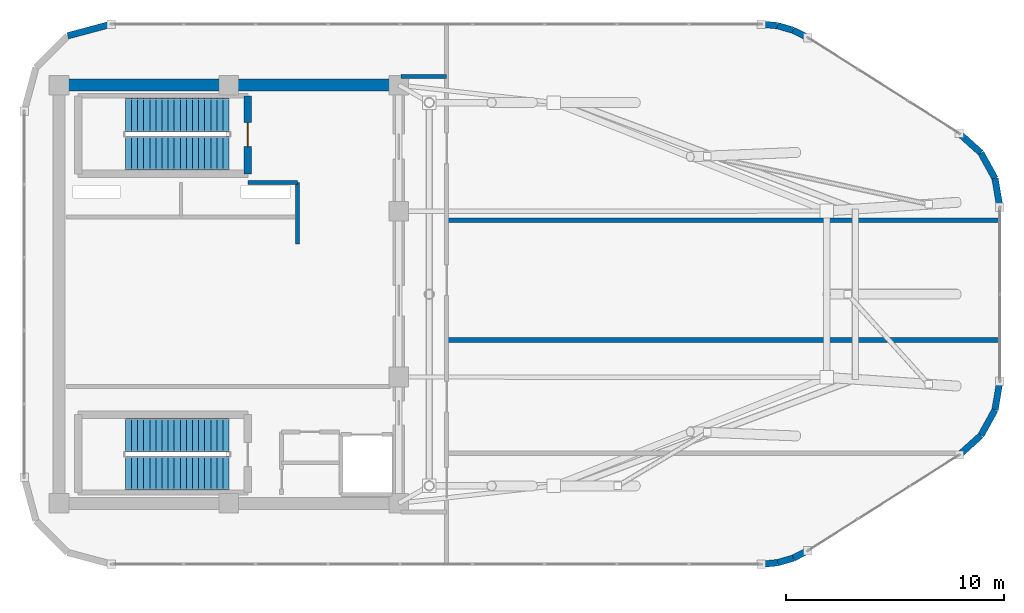
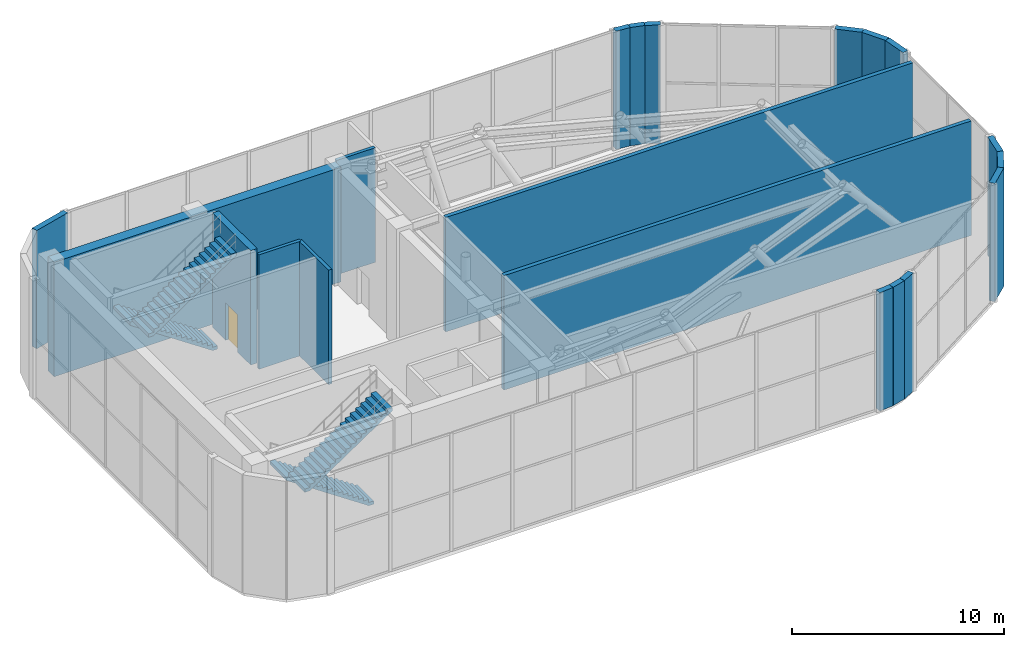
# One storey, part 23 of 24: 20 walls, 4 stair flights, 1 door, 1 opening, 2 elements without a shape of their own.
"""IFC4 building model written with IfcOpenShell, lengths in metres."""

from ifc_helpers import new_model, si_unit, direction, frame, frame_2d, origin, place, context, subcontext, project, spatial, polyline, rectangle, outline, extrude, material, layer, layer_set, type_object, element, fill, aggregate, save


model = new_model("IFC4")

# Units and contexts
model_context = context("Model", 3, precision=1e-05, world=origin(), true_north=direction((0.0, 1.0)))
body_context = subcontext(model_context, "Body", "Model", "MODEL_VIEW")
ifc_project = project(units=[si_unit("LENGTHUNIT", "METRE"), si_unit("AREAUNIT", "SQUARE_METRE"), si_unit("VOLUMEUNIT", "CUBIC_METRE"), si_unit("PLANEANGLEUNIT", "RADIAN"), si_unit("MASSUNIT", "GRAM", prefix="KILO")], contexts=[model_context])

# Site, building, storey
site_placement = place(None, origin())
site = spatial("IfcSite", under=ifc_project, at=site_placement, CompositionType="ELEMENT")
building_placement = place(site_placement, origin())
building = spatial("IfcBuilding", under=site, at=building_placement, Name="An Khanh Terracotta Commons", CompositionType="ELEMENT")
storey_placement = place(building_placement, frame((0.0, 0.0, 315.199951171875)))
storey = spatial("IfcBuildingStorey", under=building, at=storey_placement, Name="L80 Crown Cooling Plant", CompositionType="ELEMENT", Elevation=315.199951171875)

# Walls
ifc_material_1 = material(Name="Concrete C50/60", Category="concrete")
ifc_layer_1 = layer(ifc_material_1, 0.550048828125, Name="Concrete C50/60")
ifc_layer_set_1 = layer_set([ifc_layer_1], Name="Concrete C50/60")
wall_type_1 = type_object("IfcWallType", Name="WALL-CORE-550", PredefinedType="SHEAR", material=ifc_layer_set_1)
wall_1_placement = place(storey_placement, frame((21.60009765625, 33.60009765625, 0.0), z_axis=(0.0, 0.0, 1.0), x_axis=(1.0, 0.0, 0.0)))
element("IfcWall", 1, at=wall_1_placement, inside=storey, type_object=wall_type_1, Name="L80 Crown Cooling Plant Core Wall CWALL-L80 Crown Cooling Plant-N", PredefinedType="SHEAR", context=body_context, shape_type="SweptSolid", body=[
    extrude(rectangle(XDim=15.599853515625, YDim=0.550048828125, at=frame_2d((7.7998046875, 0.0))), origin(), (0.0, 0.0, 1.0), 6.580078125),
])
ifc_material_2 = material(Name="Fire-Rated Gypsum Board on Steel Stud", Category="steel")
ifc_layer_2 = layer(ifc_material_2, 0.179931640625, Name="Fire-Rated Gypsum Board on Steel Stud")
ifc_layer_set_2 = layer_set([ifc_layer_2], Name="Fire-Rated Gypsum Board on Steel Stud")
wall_type_2 = type_object("IfcWallType", Name="WALL-CORR-180", PredefinedType="PARTITIONING", material=ifc_layer_set_2)
wall_2_placement = place(storey_placement, frame((30.27001953125, 29.1201171875, 0.0), z_axis=(0.0, 0.0, 1.0), x_axis=(1.0, 0.0, 0.0)))
element("IfcWall", 2, at=wall_2_placement, inside=storey, type_object=wall_type_2, Name="L80 Crown Cooling Plant Core Wall FFLW-L80 Crown Cooling Plant-S", PredefinedType="PARTITIONING", context=body_context, shape_type="SweptSolid", body=[
    extrude(rectangle(XDim=2.280029296875, YDim=0.179931640625, at=frame_2d((1.14013671875, 0.0))), origin(), (0.0, 0.0, 1.0), 6.580078125),
])
wall_3_placement = place(storey_placement, frame((32.550048828125, 26.300048828125, 0.0), z_axis=(0.0, 0.0, 1.0), x_axis=(0.0, 1.0, 0.0)))
element("IfcWall", 3, at=wall_3_placement, inside=storey, type_object=wall_type_2, Name="L80 Crown Cooling Plant Core Wall RSRW-L80 Crown Cooling Plant-E", PredefinedType="PARTITIONING", context=body_context, shape_type="SweptSolid", body=[
    extrude(rectangle(XDim=2.820068359375, YDim=0.179931640625, at=frame_2d((1.41015625, 0.0))), origin(), (0.0, 0.0, 1.0), 6.580078125),
])
wall_4_placement = place(storey_placement, frame((37.300048828125, 34.0, 0.0), z_axis=(0.0, 0.0, 1.0), x_axis=(1.0, 0.0, 0.0)))
element("IfcWall", 4, at=wall_4_placement, inside=storey, type_object=wall_type_2, Name="L80 Crown Cooling Plant Interior Partition IW-L80 Crown Cooling Plant-E005", PredefinedType="PARTITIONING", context=body_context, shape_type="SweptSolid", body=[
    extrude(rectangle(XDim=2.099853515625, YDim=0.179931640625, at=frame_2d((1.0498046875, 0.0))), origin(), (0.0, 0.0, 1.0), 6.580078125),
])
ifc_material_3 = material(Name="Precast concrete C40/50", Category="concrete")
ifc_layer_3 = layer(ifc_material_3, 0.300048828125, Name="Precast concrete C40/50")
ifc_layer_set_3 = layer_set([ifc_layer_3], Name="Precast concrete C40/50")
wall_type_3 = type_object("IfcWallType", Name="WALL-EXT-300", PredefinedType="SOLIDWALL", material=ifc_layer_set_3)
wall_5_placement = place(storey_placement, frame((53.841064453125, 11.60009765625, 0.0), z_axis=(0.0, 0.0, 1.0), x_axis=(0.995550793805, 0.094226413252, 0.0)))
element("IfcWall", 5, at=wall_5_placement, inside=storey, type_object=wall_type_3, Name="L80 Crown Cooling Plant Crown Facet Corner Closure 5", PredefinedType="SOLIDWALL", context=body_context, shape_type="SweptSolid", body=[
    extrude(rectangle(XDim=0.75146484375, YDim=0.300048828125, at=frame_2d((0.375732421875, 0.0))), origin(), (0.0, 0.0, 1.0), 6.800048828125),
])
wall_6_placement = place(storey_placement, frame((54.589111328125, 11.6708984375, 0.0), z_axis=(0.0, 0.0, 1.0), x_axis=(0.960461324279, 0.278413441782, 0.0)))
element("IfcWall", 6, at=wall_6_placement, inside=storey, type_object=wall_type_3, Name="L80 Crown Cooling Plant Crown Facet Corner Closure 6", PredefinedType="SOLIDWALL", context=body_context, shape_type="SweptSolid", body=[
    extrude(rectangle(XDim=0.750732421875, YDim=0.300048828125, at=frame_2d((0.37548828125, 0.0))), origin(), (0.0, 0.0, 1.0), 6.800048828125),
])
wall_7_placement = place(storey_placement, frame((55.31005859375, 11.8798828125, 0.0), z_axis=(0.0, 0.0, 1.0), x_axis=(0.891680894713, 0.452664535836, 0.0)))
element("IfcWall", 7, at=wall_7_placement, inside=storey, type_object=wall_type_3, Name="L80 Crown Cooling Plant Crown Facet Corner Closure 7", PredefinedType="SOLIDWALL", context=body_context, shape_type="SweptSolid", body=[
    extrude(rectangle(XDim=0.751220703125, YDim=0.300048828125, at=frame_2d((0.37548828125, 0.0))), origin(), (0.0, 0.0, 1.0), 6.800048828125),
])
wall_8_placement = place(storey_placement, frame((62.93896484375, 16.6220703125, 0.0), z_axis=(0.0, 0.0, 1.0), x_axis=(0.743594084191, 0.668631316913, 0.0)))
element("IfcWall", 8, at=wall_8_placement, inside=storey, type_object=wall_type_3, Name="L80 Crown Cooling Plant Crown Facet Corner Closure 9", PredefinedType="SOLIDWALL", context=body_context, shape_type="SweptSolid", body=[
    extrude(rectangle(XDim=1.335205078125, YDim=0.300048828125, at=frame_2d((0.66748046875, 0.0))), origin(), (0.0, 0.0, 1.0), 6.800048828125),
])
wall_9_placement = place(storey_placement, frame((63.931884765625, 17.514892578125, 0.0), z_axis=(0.0, 0.0, 1.0), x_axis=(0.482739188221, 0.875764166974, 0.0)))
element("IfcWall", 9, at=wall_9_placement, inside=storey, type_object=wall_type_3, Name="L80 Crown Cooling Plant Crown Facet Corner Closure 10", PredefinedType="SOLIDWALL", context=body_context, shape_type="SweptSolid", body=[
    extrude(rectangle(XDim=1.336181640625, YDim=0.300048828125, at=frame_2d((0.66796875, 0.0))), origin(), (0.0, 0.0, 1.0), 6.800048828125),
])
for number, where, z_axis, x_axis, name in (
    (10, (64.576904296875, 18.68505859375, 0.0), (0.0, 0.0, 1.0), (0.166945721408, 0.985966087705, 0.0), "L80 Crown Cooling Plant Crown Facet Corner Closure 11"),
    (11, (64.800048828125, 27.9970703125, 0.0), (0.0, 0.0, 1.0), (-0.166945721408, 0.985966087705, 0.0), "L80 Crown Cooling Plant Crown Facet Corner Closure 13"),
):
    element("IfcWall", number, at=place(storey_placement, frame(where, z_axis=z_axis, x_axis=x_axis)), inside=storey, type_object=wall_type_3, Name=name, PredefinedType="SOLIDWALL", context=body_context, shape_type="SweptSolid", body=[
        extrude(rectangle(XDim=1.336669921875, YDim=0.300048828125, at=frame_2d((0.66845703125, 0.0))), origin(), (0.0, 0.0, 1.0), 6.800048828125),
    ])
wall_10_placement = place(storey_placement, frame((64.576904296875, 29.31494140625, 0.0), z_axis=(0.0, 0.0, 1.0), x_axis=(-0.482739188221, 0.875764166974, 0.0)))
element("IfcWall", 12, at=wall_10_placement, inside=storey, type_object=wall_type_3, Name="L80 Crown Cooling Plant Crown Facet Corner Closure 14", PredefinedType="SOLIDWALL", context=body_context, shape_type="SweptSolid", body=[
    extrude(rectangle(XDim=1.336181640625, YDim=0.300048828125, at=frame_2d((0.66796875, 0.0))), origin(), (0.0, 0.0, 1.0), 6.800048828125),
])
wall_11_placement = place(storey_placement, frame((63.931884765625, 30.485107421875, 0.0), z_axis=(0.0, 0.0, 1.0), x_axis=(-0.743594084191, 0.668631316913, 0.0)))
element("IfcWall", 13, at=wall_11_placement, inside=storey, type_object=wall_type_3, Name="L80 Crown Cooling Plant Crown Facet Corner Closure 15", PredefinedType="SOLIDWALL", context=body_context, shape_type="SweptSolid", body=[
    extrude(rectangle(XDim=1.335205078125, YDim=0.300048828125, at=frame_2d((0.66748046875, 0.0))), origin(), (0.0, 0.0, 1.0), 6.800048828125),
])
wall_12_placement = place(storey_placement, frame((55.97998046875, 35.780029296875, 0.0), z_axis=(0.0, 0.0, 1.0), x_axis=(-0.891680894713, 0.452664535836, 0.0)))
element("IfcWall", 14, at=wall_12_placement, inside=storey, type_object=wall_type_3, Name="L80 Crown Cooling Plant Crown Facet Corner Closure 17", PredefinedType="SOLIDWALL", context=body_context, shape_type="SweptSolid", body=[
    extrude(rectangle(XDim=0.751220703125, YDim=0.300048828125, at=frame_2d((0.37548828125, 0.0))), origin(), (0.0, 0.0, 1.0), 6.800048828125),
])
wall_13_placement = place(storey_placement, frame((55.31005859375, 36.1201171875, 0.0), z_axis=(0.0, 0.0, 1.0), x_axis=(-0.960461324279, 0.278413441782, 0.0)))
element("IfcWall", 15, at=wall_13_placement, inside=storey, type_object=wall_type_3, Name="L80 Crown Cooling Plant Crown Facet Corner Closure 18", PredefinedType="SOLIDWALL", context=body_context, shape_type="SweptSolid", body=[
    extrude(rectangle(XDim=0.750732421875, YDim=0.300048828125, at=frame_2d((0.37548828125, 0.0))), origin(), (0.0, 0.0, 1.0), 6.800048828125),
])
wall_14_placement = place(storey_placement, frame((54.589111328125, 36.3291015625, 0.0), z_axis=(0.0, 0.0, 1.0), x_axis=(-0.995550793805, 0.094226413252, 0.0)))
element("IfcWall", 16, at=wall_14_placement, inside=storey, type_object=wall_type_3, Name="L80 Crown Cooling Plant Crown Facet Corner Closure 19", PredefinedType="SOLIDWALL", context=body_context, shape_type="SweptSolid", body=[
    extrude(rectangle(XDim=0.75146484375, YDim=0.300048828125, at=frame_2d((0.375732421875, 0.0))), origin(), (0.0, 0.0, 1.0), 6.800048828125),
])
wall_15_placement = place(storey_placement, frame((24.0, 36.39990234375, 0.0), z_axis=(0.0, 0.0, 1.0), x_axis=(-0.965926999034, -0.25881466832, 0.0)))
element("IfcWall", 17, at=wall_15_placement, inside=storey, type_object=wall_type_3, Name="L80 Crown Cooling Plant Crown Facet Corner Closure 21", PredefinedType="SOLIDWALL", context=body_context, shape_type="SweptSolid", body=[
    extrude(rectangle(XDim=2.070556640625, YDim=0.300048828125, at=frame_2d((1.03515625, 0.0))), origin(), (0.0, 0.0, 1.0), 6.800048828125),
])
ifc_material_4 = material(Name="Acoustic Double-Stud Gypsum and Mineral Wool")
ifc_layer_4 = layer(ifc_material_4, 0.219970703125, Name="Acoustic Double-Stud Gypsum and Mineral Wool")
ifc_layer_set_4 = layer_set([ifc_layer_4], Name="Acoustic Double-Stud Gypsum and Mineral Wool")
wall_type_4 = type_object("IfcWallType", Name="WALL-PARTY-220", PredefinedType="PARTITIONING", material=ifc_layer_set_4)
for number, where, z_axis, x_axis, name in (
    (18, (39.39990234375, 21.89990234375, 0.0), (0.0, 0.0, 1.0), (1.0, 0.0, 0.0), "L80 Crown Cooling Plant Interior Partition IW-L80 Crown Cooling Plant-E003"),
    (19, (39.39990234375, 27.39990234375, 0.0), (0.0, 0.0, 1.0), (1.0, 0.0, 0.0), "L80 Crown Cooling Plant Interior Partition IW-L80 Crown Cooling Plant-E004"),
):
    element("IfcWall", number, at=place(storey_placement, frame(where, z_axis=z_axis, x_axis=x_axis)), inside=storey, type_object=wall_type_4, Name=name, PredefinedType="PARTITIONING", context=body_context, shape_type="SweptSolid", body=[
        extrude(rectangle(XDim=25.400146484375, YDim=0.219970703125, at=frame_2d((12.7001953125, 0.0))), origin(), (0.0, 0.0, 1.0), 6.580078125),
    ])

# Wall, opening, door
ifc_layer_5 = layer(ifc_material_1, 0.35009765625, Name="Concrete C50/60")
ifc_layer_set_5 = layer_set([ifc_layer_5], Name="Concrete C50/60")
wall_type_5 = type_object("IfcWallType", Name="WALL-SHAFT-350", PredefinedType="SOLIDWALL", material=ifc_layer_set_5)
wall_16_placement = place(storey_placement, frame((30.27001953125, 29.530029296875, 0.0), z_axis=(0.0, 0.0, 1.0), x_axis=(0.0, 1.0, 0.0)))
wall_16 = element("IfcWall", 20, at=wall_16_placement, inside=storey, type_object=wall_type_5, Name="L80 Crown Cooling Plant Core Wall STW-L80 Crown Cooling Plant-N-E", PredefinedType="SOLIDWALL", context=body_context, shape_type="SweptSolid", body=[
    extrude(rectangle(XDim=3.580078125, YDim=0.35009765625, at=frame_2d((1.7900390625, 0.0))), origin(), (0.0, 0.0, 1.0), 6.580078125),
])
opening_placement = place(wall_16_placement, frame((1.25, 0.0, 0.0)))
opening = element("IfcOpeningElement", 21, at=opening_placement, cuts=wall_16, Name="Opening D-ST", PredefinedType="OPENING", context=body_context, shape_type="SweptSolid", body=[
    extrude(rectangle(XDim=1.10009765625, YDim=2.14990234375, at=frame_2d((0.550048828125, 1.074951171875))), frame((0.0, 0.18505859375, 0.0), z_axis=(0.0, -1.0, 0.0), x_axis=(1.0, 0.0, 0.0)), (0.0, 0.0, 1.0), 0.3701171875),
])
ifc_material_5 = material(Name="Fire-Rated Steel Leaf and Frame", Category="steel")
door_type = type_object("IfcDoorType", Name="DOOR-STAIR-1100", OperationType="NOTDEFINED", PredefinedType="DOOR", material=ifc_material_5)
door_placement = place(opening_placement, origin())
door = element("IfcDoor", 22, at=door_placement, inside=storey, type_object=door_type, Name="L80 Crown Cooling Plant Stair ST-01 Fire Door", OperationType="SINGLE_SWING_RIGHT", OverallHeight=2.14990234375, OverallWidth=1.10009765625, PredefinedType="DOOR", context=body_context, shape_type="SweptSolid", body=[
    extrude(rectangle(XDim=1.10009765625, YDim=2.14990234375, at=frame_2d((0.550048828125, 1.074951171875))), frame((0.0, 0.02490234375, 0.0), z_axis=(0.0, -1.0, 0.0), x_axis=(1.0, 0.0, 0.0)), (0.0, 0.0, 1.0), 0.050048828125),
])
fill(opening, door)

# Stair, stair flights
stair_type = type_object("IfcStairType", Name="STAIR-CORE-1550", PredefinedType="HALF_TURN_STAIR", material=ifc_material_3)
stair_1_placement = place(storey_placement, origin())
stair_1 = element("IfcStair", 23, at=stair_1_placement, inside=storey, type_object=stair_type, Name="L80 Crown Cooling Plant Core Smokeproof Exit Stair ST-01", PredefinedType="HALF_TURN_STAIR")
stair_flight_type = type_object("IfcStairFlightType", Name="FLIGHT-CORE-1550", PredefinedType="STRAIGHT", material=ifc_material_3)
stair_flight_1_placement = place(storey_placement, frame((29.409912109375, 32.22509765625, 0.0), z_axis=(0.0, 0.0, 1.0), x_axis=(-1.0, 0.0, 0.0)))
stair_flight_1 = element("IfcStairFlight", 24, at=stair_flight_1_placement, type_object=stair_flight_type, Name="ST-01 flight 1", NumberOfRisers=18, NumberOfTreads=17, PredefinedType="STRAIGHT", RiserHeight=0.188888889, TreadLength=0.28, context=body_context, shape_type="SweptSolid", body=[
    extrude(outline(polyline([(0.0, 0.0), (0.0, 0.18896484375), (0.280029296875, 0.18896484375), (0.280029296875, 0.377685546875), (0.56005859375, 0.377685546875), (0.56005859375, 0.566650390625), (0.840087890625, 0.566650390625), (0.840087890625, 0.755615234375), (1.1201171875, 0.755615234375), (1.1201171875, 0.9443359375), (1.39990234375, 0.9443359375), (1.39990234375, 1.13330078125), (1.679931640625, 1.13330078125), (1.679931640625, 1.322265625), (1.9599609375, 1.322265625), (1.9599609375, 1.51123046875), (2.239990234375, 1.51123046875), (2.239990234375, 1.699951171875), (2.52001953125, 1.699951171875), (2.52001953125, 1.888916015625), (2.800048828125, 1.888916015625), (2.800048828125, 2.077880859375), (3.080078125, 2.077880859375), (3.080078125, 2.2666015625), (3.360107421875, 2.2666015625), (3.360107421875, 2.45556640625), (3.639892578125, 2.45556640625), (3.639892578125, 2.64453125), (3.919921875, 2.64453125), (3.919921875, 2.833251953125), (4.199951171875, 2.833251953125), (4.199951171875, 3.022216796875), (4.47998046875, 3.022216796875), (4.47998046875, 3.211181640625), (4.760009765625, 3.211181640625), (4.760009765625, 3.39990234375), (4.760009765625, 3.0302734375), (0.26806640625, 0.0), (0.0, 0.0)])), frame((0.0, 0.77490234375, 0.0), z_axis=(0.0, -1.0, 0.0), x_axis=(1.0, 0.0, 0.0)), (0.0, 0.0, 1.0), 1.550048828125),
])
stair_flight_2_placement = place(storey_placement, frame((24.64990234375, 30.47509765625, 3.400146484375), z_axis=(0.0, 0.0, 1.0), x_axis=(1.0, 0.0, 0.0)))
stair_flight_2 = element("IfcStairFlight", 25, at=stair_flight_2_placement, type_object=stair_flight_type, Name="ST-01 flight 2", NumberOfRisers=18, NumberOfTreads=17, PredefinedType="STRAIGHT", RiserHeight=0.188888889, TreadLength=0.28, context=body_context, shape_type="SweptSolid", body=[
    extrude(outline(polyline([(0.0, 0.0), (0.0, 0.18896484375), (0.280029296875, 0.18896484375), (0.280029296875, 0.377685546875), (0.56005859375, 0.377685546875), (0.56005859375, 0.566650390625), (0.840087890625, 0.566650390625), (0.840087890625, 0.755615234375), (1.1201171875, 0.755615234375), (1.1201171875, 0.9443359375), (1.39990234375, 0.9443359375), (1.39990234375, 1.13330078125), (1.679931640625, 1.13330078125), (1.679931640625, 1.322265625), (1.9599609375, 1.322265625), (1.9599609375, 1.51123046875), (2.239990234375, 1.51123046875), (2.239990234375, 1.699951171875), (2.52001953125, 1.699951171875), (2.52001953125, 1.888916015625), (2.800048828125, 1.888916015625), (2.800048828125, 2.077880859375), (3.080078125, 2.077880859375), (3.080078125, 2.2666015625), (3.360107421875, 2.2666015625), (3.360107421875, 2.45556640625), (3.639892578125, 2.45556640625), (3.639892578125, 2.64453125), (3.919921875, 2.64453125), (3.919921875, 2.833251953125), (4.199951171875, 2.833251953125), (4.199951171875, 3.022216796875), (4.47998046875, 3.022216796875), (4.47998046875, 3.211181640625), (4.760009765625, 3.211181640625), (4.760009765625, 3.39990234375), (4.760009765625, 3.0302734375), (0.26806640625, 0.0), (0.0, 0.0)])), frame((0.0, 0.77490234375, 0.0), z_axis=(0.0, -1.0, 0.0), x_axis=(1.0, 0.0, 0.0)), (0.0, 0.0, 1.0), 1.550048828125),
])
aggregate(stair_1, [stair_flight_1, stair_flight_2])

stair_2_placement = place(storey_placement, origin())
stair_2 = element("IfcStair", 26, at=stair_2_placement, inside=storey, type_object=stair_type, Name="L80 Crown Cooling Plant Core Smokeproof Exit Stair ST-02", PredefinedType="HALF_TURN_STAIR")
stair_flight_3_placement = place(storey_placement, frame((29.409912109375, 17.52490234375, 0.0), z_axis=(0.0, 0.0, 1.0), x_axis=(-1.0, 0.0, 0.0)))
stair_flight_3 = element("IfcStairFlight", 27, at=stair_flight_3_placement, type_object=stair_flight_type, Name="ST-02 flight 1", NumberOfRisers=18, NumberOfTreads=17, PredefinedType="STRAIGHT", RiserHeight=0.188888889, TreadLength=0.28, context=body_context, shape_type="SweptSolid", body=[
    extrude(outline(polyline([(0.0, 0.0), (0.0, 0.18896484375), (0.280029296875, 0.18896484375), (0.280029296875, 0.377685546875), (0.56005859375, 0.377685546875), (0.56005859375, 0.566650390625), (0.840087890625, 0.566650390625), (0.840087890625, 0.755615234375), (1.1201171875, 0.755615234375), (1.1201171875, 0.9443359375), (1.39990234375, 0.9443359375), (1.39990234375, 1.13330078125), (1.679931640625, 1.13330078125), (1.679931640625, 1.322265625), (1.9599609375, 1.322265625), (1.9599609375, 1.51123046875), (2.239990234375, 1.51123046875), (2.239990234375, 1.699951171875), (2.52001953125, 1.699951171875), (2.52001953125, 1.888916015625), (2.800048828125, 1.888916015625), (2.800048828125, 2.077880859375), (3.080078125, 2.077880859375), (3.080078125, 2.2666015625), (3.360107421875, 2.2666015625), (3.360107421875, 2.45556640625), (3.639892578125, 2.45556640625), (3.639892578125, 2.64453125), (3.919921875, 2.64453125), (3.919921875, 2.833251953125), (4.199951171875, 2.833251953125), (4.199951171875, 3.022216796875), (4.47998046875, 3.022216796875), (4.47998046875, 3.211181640625), (4.760009765625, 3.211181640625), (4.760009765625, 3.39990234375), (4.760009765625, 3.0302734375), (0.26806640625, 0.0), (0.0, 0.0)])), frame((0.0, 0.77490234375, 0.0), z_axis=(0.0, -1.0, 0.0), x_axis=(1.0, 0.0, 0.0)), (0.0, 0.0, 1.0), 1.550048828125),
])
stair_flight_4_placement = place(storey_placement, frame((24.64990234375, 15.77490234375, 3.400146484375), z_axis=(0.0, 0.0, 1.0), x_axis=(1.0, 0.0, 0.0)))
stair_flight_4 = element("IfcStairFlight", 28, at=stair_flight_4_placement, type_object=stair_flight_type, Name="ST-02 flight 2", NumberOfRisers=18, NumberOfTreads=17, PredefinedType="STRAIGHT", RiserHeight=0.188888889, TreadLength=0.28, context=body_context, shape_type="SweptSolid", body=[
    extrude(outline(polyline([(0.0, 0.0), (0.0, 0.18896484375), (0.280029296875, 0.18896484375), (0.280029296875, 0.377685546875), (0.56005859375, 0.377685546875), (0.56005859375, 0.566650390625), (0.840087890625, 0.566650390625), (0.840087890625, 0.755615234375), (1.1201171875, 0.755615234375), (1.1201171875, 0.9443359375), (1.39990234375, 0.9443359375), (1.39990234375, 1.13330078125), (1.679931640625, 1.13330078125), (1.679931640625, 1.322265625), (1.9599609375, 1.322265625), (1.9599609375, 1.51123046875), (2.239990234375, 1.51123046875), (2.239990234375, 1.699951171875), (2.52001953125, 1.699951171875), (2.52001953125, 1.888916015625), (2.800048828125, 1.888916015625), (2.800048828125, 2.077880859375), (3.080078125, 2.077880859375), (3.080078125, 2.2666015625), (3.360107421875, 2.2666015625), (3.360107421875, 2.45556640625), (3.639892578125, 2.45556640625), (3.639892578125, 2.64453125), (3.919921875, 2.64453125), (3.919921875, 2.833251953125), (4.199951171875, 2.833251953125), (4.199951171875, 3.022216796875), (4.47998046875, 3.022216796875), (4.47998046875, 3.211181640625), (4.760009765625, 3.211181640625), (4.760009765625, 3.39990234375), (4.760009765625, 3.0302734375), (0.26806640625, 0.0), (0.0, 0.0)])), frame((0.0, 0.77490234375, 0.0), z_axis=(0.0, -1.0, 0.0), x_axis=(1.0, 0.0, 0.0)), (0.0, 0.0, 1.0), 1.550048828125),
])
aggregate(stair_2, [stair_flight_3, stair_flight_4])

save(model, "model.ifc")
